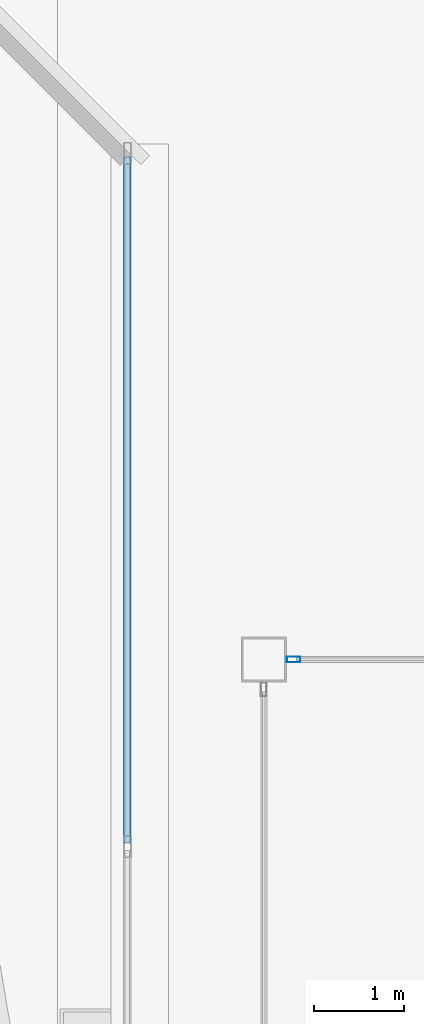
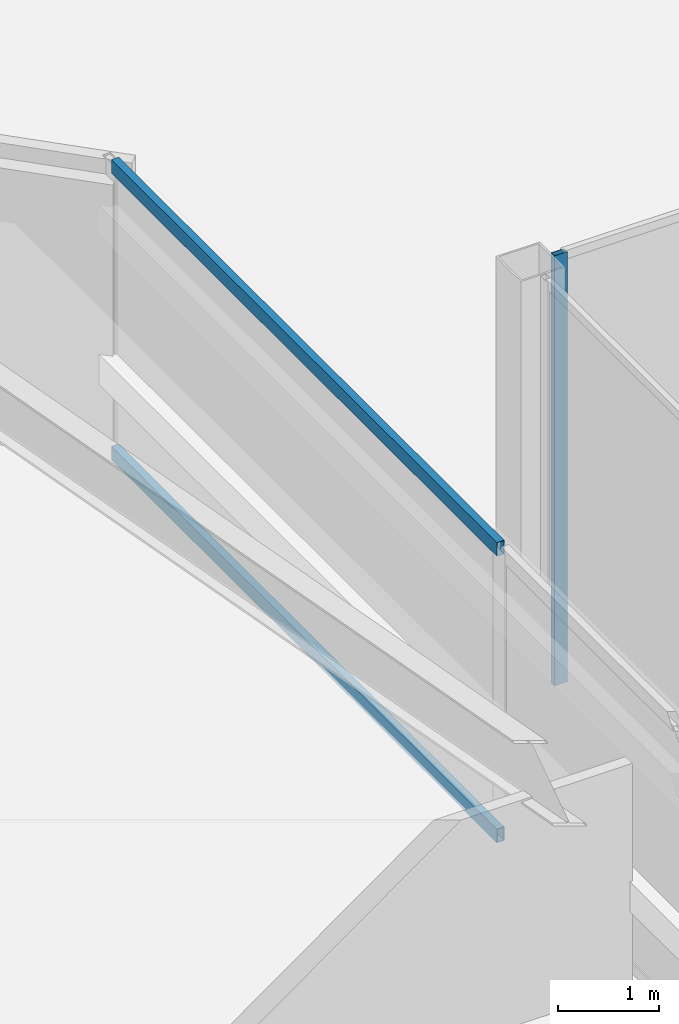
# One storey, part 43 of 83: 3 members, 2 elements without a shape of their own.
"""IFC4 building model written with IfcOpenShell, lengths in metres."""

from ifc_helpers import new_model, si_unit, direction, frame, origin, origin_2d, place, context, subcontext, project, spatial, hollow_rectangle, extrude, material, material_profile, profile_set, type_object, element, aggregate, save


model = new_model("IFC4")

# Units and contexts
model_context = context("Model", 3, precision=1e-05, world=origin(), true_north=direction((0.0, 1.0)))
body_context = subcontext(model_context, "Body", "Model", "MODEL_VIEW")
ifc_project = project(units=[si_unit("LENGTHUNIT", "METRE"), si_unit("AREAUNIT", "SQUARE_METRE"), si_unit("VOLUMEUNIT", "CUBIC_METRE"), si_unit("PLANEANGLEUNIT", "RADIAN"), si_unit("MASSUNIT", "GRAM", prefix="KILO")], contexts=[model_context])

# Site, building, storey
site_placement = place(None, origin())
site = spatial("IfcSite", under=ifc_project, at=site_placement, CompositionType="ELEMENT")
building_placement = place(site_placement, origin())
building = spatial("IfcBuilding", under=site, at=building_placement, Name="Tashvorn Skyway Center", CompositionType="ELEMENT")
storey_placement = place(building_placement, frame((0.0, 0.0, 24.60009765625)))
storey = spatial("IfcBuildingStorey", under=building, at=storey_placement, Name="L05", CompositionType="ELEMENT", Elevation=24.60009765625)

# Curtain wall, member
ifc_material = material(Name="Thermally broken bronze-anodized aluminium 6063-T6", Category="aluminium")
curtain_wall_type_1 = type_object("IfcCurtainWallType", Name="CW-CW-SKY", PredefinedType="NOTDEFINED", material=ifc_material)
curtain_wall_1_placement = place(storey_placement, origin())
curtain_wall_1 = element("IfcCurtainWall", 1, at=curtain_wall_1_placement, inside=storey, type_object=curtain_wall_type_1, Name="Station Concourse Monitor North Clerestory Curtain Wall", PredefinedType="NOTDEFINED")
ifc_material_profile_1 = material_profile(ifc_material, hollow_rectangle(XDim=0.06494140625, YDim=0.14990234375, WallThickness=0.00390625, at=origin_2d()), Name="ALU-MULL-65x150")
ifc_profile_set_1 = profile_set([ifc_material_profile_1], Name="Thermally broken bronze-anodized aluminium 6063-T6")
member_type_1 = type_object("IfcMemberType", Name="CWM-CW-SKY", PredefinedType="MULLION", material=ifc_profile_set_1)
member_1_placement = place(storey_placement, frame((66.732421875, 46.199951171875, 0.0), z_axis=(0.0, 0.0, 1.0), x_axis=(0.0, 1.0, 0.0)))
member_1 = element("IfcMember", 2, at=member_1_placement, type_object=member_type_1, Name="CW-SKY mullion 1", PredefinedType="MULLION", context=body_context, shape_type="SweptSolid", body=[
    extrude(hollow_rectangle(XDim=0.06494140625, YDim=0.14990234375, WallThickness=0.00390625, at=origin_2d()), origin(), (0.0, 0.0, 1.0), 5.199951171875),
])
aggregate(curtain_wall_1, [member_1])

# Curtain wall, members
curtain_wall_type_2 = type_object("IfcCurtainWallType", Name="CW-CW-Z1", PredefinedType="NOTDEFINED", material=ifc_material)
curtain_wall_2_placement = place(storey_placement, origin())
curtain_wall_2 = element("IfcCurtainWall", 3, at=curtain_wall_2_placement, inside=storey, type_object=curtain_wall_type_2, Name="Tower 1 L05 East Curtain Wall L", PredefinedType="NOTDEFINED")
ifc_material_profile_2 = material_profile(ifc_material, hollow_rectangle(XDim=0.0849609375, YDim=0.1650390625, WallThickness=0.0048828125, at=origin_2d()), Name="ALU-TRAN-85x165")
ifc_profile_set_2 = profile_set([ifc_material_profile_2], Name="Thermally broken bronze-anodized aluminium 6063-T6")
member_type_2 = type_object("IfcMemberType", Name="CWT-CW-Z1", PredefinedType="USERDEFINED", material=ifc_profile_set_2)
member_2_placement = place(storey_placement, frame((64.8798828125, 51.794921875, 0.04248046875), z_axis=(0.0, -1.0, 0.0), x_axis=(1.0, 0.0, 0.0)))
member_2 = element("IfcMember", 4, at=member_2_placement, type_object=member_type_2, Name="CW-Z1 transom 1.1", ObjectType="TRANSOM", PredefinedType="USERDEFINED", context=body_context, shape_type="SweptSolid", body=[
    extrude(hollow_rectangle(XDim=0.0849609375, YDim=0.1650390625, WallThickness=0.0048828125, at=origin_2d()), origin(), (0.0, 0.0, 1.0), 7.637451171875),
])
member_3_placement = place(storey_placement, frame((64.8798828125, 51.794921875, 3.50732421875), z_axis=(0.0, -1.0, 0.0), x_axis=(1.0, 0.0, 0.0)))
member_3 = element("IfcMember", 5, at=member_3_placement, type_object=member_type_2, Name="CW-Z1 transom 1.2", ObjectType="TRANSOM", PredefinedType="USERDEFINED", context=body_context, shape_type="SweptSolid", body=[
    extrude(hollow_rectangle(XDim=0.0849609375, YDim=0.1650390625, WallThickness=0.0048828125, at=origin_2d()), origin(), (0.0, 0.0, 1.0), 7.637451171875),
])
aggregate(curtain_wall_2, [member_2, member_3])

save(model, "model.ifc")
